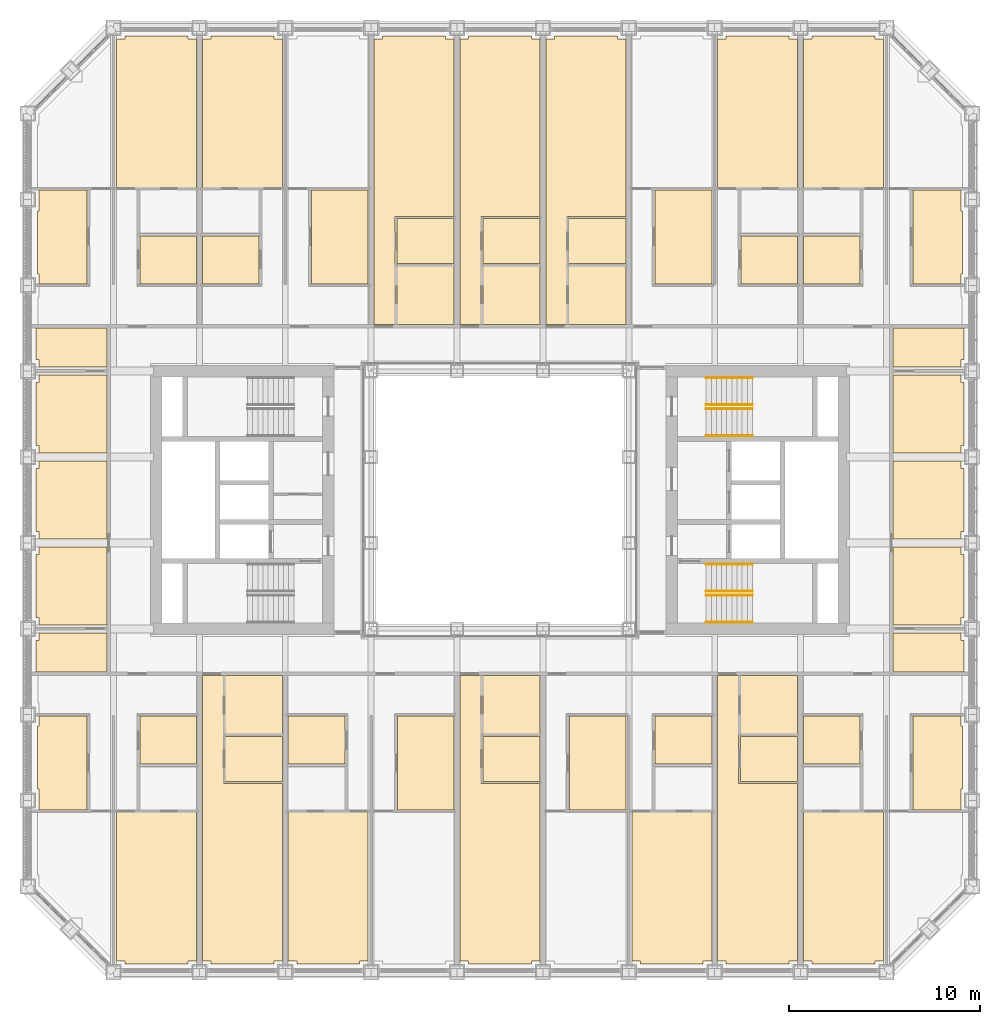
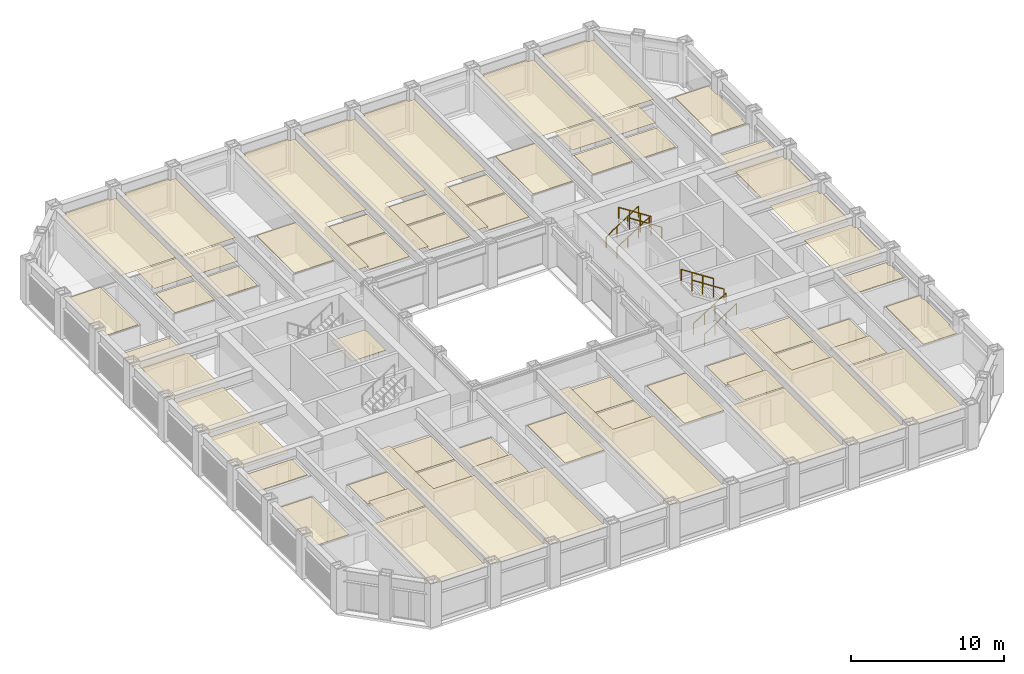
# One storey, part 20 of 21: 8 railings, 3 coverings.
"""IFC4 building model written with IfcOpenShell, lengths in metres."""

from ifc_helpers import new_model, si_unit, direction, frame, origin, origin_2d, place, context, subcontext, project, spatial, line, indexed_curve, circle, outline, extrude, material, layer, layer_set, type_object, element, save


model = new_model("IFC4")

# Units and contexts
model_context = context("Model", 3, precision=1e-05, world=origin(), true_north=direction((0.0, 1.0)))
body_context = subcontext(model_context, "Body", "Model", "MODEL_VIEW")
ifc_project = project(units=[si_unit("LENGTHUNIT", "METRE"), si_unit("AREAUNIT", "SQUARE_METRE"), si_unit("VOLUMEUNIT", "CUBIC_METRE"), si_unit("PLANEANGLEUNIT", "RADIAN"), si_unit("MASSUNIT", "GRAM", prefix="KILO")], contexts=[model_context])

# Site, building, storey
site_placement = place(None, origin())
site = spatial("IfcSite", under=ifc_project, at=site_placement, CompositionType="ELEMENT")
building_placement = place(site_placement, origin())
building = spatial("IfcBuilding", under=site, at=building_placement, Name="Msasa Ring Tower", CompositionType="ELEMENT")
storey_placement = place(building_placement, frame((0.0, 0.0, 40.5)))
storey = spatial("IfcBuildingStorey", under=building, at=storey_placement, Name="L09", CompositionType="ELEMENT", Elevation=40.5)

# Coverings
ifc_material_1 = material(Name="Gypsum plasterboard on a steel suspension grid", Category="steel")
ifc_layer_1 = layer(ifc_material_1, 0.014892578125)
ifc_layer_set_1 = layer_set([ifc_layer_1], Name="C1 SUSPENDED PLASTERBOARD CEILING 15")
covering_type_1 = type_object("IfcCoveringType", Name="C1 SUSPENDED PLASTERBOARD CEILING 15", PredefinedType="CEILING", material=ifc_layer_set_1)
covering_1_placement = place(storey_placement, frame((0.0, 0.0, 2.699951171875)))
element("IfcCovering", 1, at=covering_1_placement, inside=storey, type_object=covering_type_1, Name="Suspended Plasterboard Ceiling 15 L09", PredefinedType="CEILING", context=body_context, shape_type="SweptSolid", body=[
    extrude(outline(indexed_curve([(-24.299560546875, -2.8505859375), (-24.1494140625, -2.8505859375), (-24.1494140625, -2.460693359375), (-20.6005859375, -2.460693359375), (-20.6005859375, -6.539306640625), (-24.1494140625, -6.539306640625), (-24.1494140625, -6.1494140625), (-24.299560546875, -6.1494140625)], segments=[line(1, 2, 3, 4, 5, 6, 7, 8, 1)], self_intersect=False)), origin(), (0.0, 0.0, 1.0), 0.01513671875),
    extrude(outline(indexed_curve([(-24.299560546875, 1.6494140625), (-24.1494140625, 1.6494140625), (-24.1494140625, 2.039306640625), (-20.6005859375, 2.039306640625), (-20.6005859375, -2.039306640625), (-24.1494140625, -2.039306640625), (-24.1494140625, -1.6494140625), (-24.299560546875, -1.6494140625)], segments=[line(1, 2, 3, 4, 5, 6, 7, 8, 1)], self_intersect=False)), origin(), (0.0, 0.0, 1.0), 0.01513671875),
    extrude(outline(indexed_curve([(-24.299560546875, 6.1494140625), (-24.1494140625, 6.1494140625), (-24.1494140625, 6.539306640625), (-20.6005859375, 6.539306640625), (-20.6005859375, 2.460693359375), (-24.1494140625, 2.460693359375), (-24.1494140625, 2.8505859375), (-24.299560546875, 2.8505859375)], segments=[line(1, 2, 3, 4, 5, 6, 7, 8, 1)], self_intersect=False)), origin(), (0.0, 0.0, 1.0), 0.01513671875),
    extrude(outline(indexed_curve([(-15.904296875, -16.35546875), (-15.904296875, -24.1494140625), (-16.3505859375, -24.1494140625), (-16.3505859375, -24.299560546875), (-19.6494140625, -24.299560546875), (-19.6494140625, -24.1494140625), (-20.095703125, -24.1494140625), (-20.095703125, -16.35546875)], segments=[line(1, 2, 3, 4, 5, 6, 7, 8, 1)], self_intersect=False)), origin(), (0.0, 0.0, 1.0), 0.01513671875),
    extrude(outline(indexed_curve([(-20.095703125, 16.35546875), (-20.095703125, 24.1494140625), (-19.6494140625, 24.1494140625), (-19.6494140625, 24.299560546875), (-16.3505859375, 24.299560546875), (-16.3505859375, 24.1494140625), (-15.904296875, 24.1494140625), (-15.904296875, 16.35546875)], segments=[line(1, 2, 3, 4, 5, 6, 7, 8, 1)], self_intersect=False)), origin(), (0.0, 0.0, 1.0), 0.01513671875),
    extrude(outline(indexed_curve([(-18.869384765625, -13.98046875), (-15.904296875, -13.98046875), (-15.904296875, -16.244384765625), (-18.869384765625, -16.244384765625)], segments=[line(1, 2, 3, 4, 1)], self_intersect=False)), origin(), (0.0, 0.0, 1.0), 0.01513671875),
    extrude(outline(indexed_curve([(-15.904296875, 16.244384765625), (-15.904296875, 13.98046875), (-18.869384765625, 13.98046875), (-18.869384765625, 16.244384765625)], segments=[line(1, 2, 3, 4, 1)], self_intersect=False)), origin(), (0.0, 0.0, 1.0), 0.01513671875),
    extrude(outline(indexed_curve([(-14.50048828125, -9.200439453125), (-14.50048828125, -14.8505859375), (-11.404296875, -14.8505859375), (-11.404296875, -24.1494140625), (-11.8505859375, -24.1494140625), (-11.8505859375, -24.299560546875), (-15.1494140625, -24.299560546875), (-15.1494140625, -24.1494140625), (-15.595703125, -24.1494140625), (-15.595703125, -9.200439453125)], segments=[line(1, 2, 3, 4, 5, 6, 7, 8, 9, 10, 1)], self_intersect=False)), origin(), (0.0, 0.0, 1.0), 0.01513671875),
    extrude(outline(indexed_curve([(-12.630615234375, 16.244384765625), (-12.630615234375, 13.98046875), (-15.595703125, 13.98046875), (-15.595703125, 16.244384765625)], segments=[line(1, 2, 3, 4, 1)], self_intersect=False)), origin(), (0.0, 0.0, 1.0), 0.01513671875),
    extrude(outline(indexed_curve([(-15.595703125, 16.35546875), (-15.595703125, 24.1494140625), (-15.1494140625, 24.1494140625), (-15.1494140625, 24.299560546875), (-11.8505859375, 24.299560546875), (-11.8505859375, 24.1494140625), (-11.404296875, 24.1494140625), (-11.404296875, 16.35546875)], segments=[line(1, 2, 3, 4, 5, 6, 7, 8, 1)], self_intersect=False)), origin(), (0.0, 0.0, 1.0), 0.01513671875),
    extrude(outline(indexed_curve([(-11.87451171875, 3.074462890625), (-9.300537109375, 3.074462890625), (-9.300537109375, 0.35546875), (-11.87451171875, 0.35546875)], segments=[line(1, 2, 3, 4, 1)], self_intersect=False)), origin(), (0.0, 0.0, 1.0), 0.01513671875),
    extrude(outline(indexed_curve([(-10.6494140625, -24.299560546875), (-10.6494140625, -24.1494140625), (-11.095703125, -24.1494140625), (-11.095703125, -16.35546875), (-6.904296875, -16.35546875), (-6.904296875, -24.1494140625), (-7.3505859375, -24.1494140625), (-7.3505859375, -24.299560546875)], segments=[line(1, 2, 3, 4, 5, 6, 7, 8, 1)], self_intersect=False)), origin(), (0.0, 0.0, 1.0), 0.01513671875),
    extrude(outline(indexed_curve([(-8.130615234375, -13.98046875), (-8.130615234375, -16.244384765625), (-11.095703125, -16.244384765625), (-11.095703125, -13.98046875)], segments=[line(1, 2, 3, 4, 1)], self_intersect=False)), origin(), (0.0, 0.0, 1.0), 0.01513671875),
    extrude(outline(indexed_curve([(-6.595703125, 9.200439453125), (-6.595703125, 24.1494140625), (-6.1494140625, 24.1494140625), (-6.1494140625, 24.299560546875), (-2.8505859375, 24.299560546875), (-2.8505859375, 24.1494140625), (-2.404296875, 24.1494140625), (-2.404296875, 14.8505859375), (-5.50048828125, 14.8505859375), (-5.50048828125, 9.200439453125)], segments=[line(1, 2, 3, 4, 5, 6, 7, 8, 9, 10, 1)], self_intersect=False)), origin(), (0.0, 0.0, 1.0), 0.01513671875),
    extrude(outline(indexed_curve([(-1.6494140625, -24.299560546875), (-1.6494140625, -24.1494140625), (-2.095703125, -24.1494140625), (-2.095703125, -9.200439453125), (-1.00048828125, -9.200439453125), (-1.00048828125, -14.8505859375), (2.095703125, -14.8505859375), (2.095703125, -24.1494140625), (1.6494140625, -24.1494140625), (1.6494140625, -24.299560546875)], segments=[line(1, 2, 3, 4, 5, 6, 7, 8, 9, 10, 1)], self_intersect=False)), origin(), (0.0, 0.0, 1.0), 0.01513671875),
    extrude(outline(indexed_curve([(1.6494140625, 24.299560546875), (1.6494140625, 24.1494140625), (2.095703125, 24.1494140625), (2.095703125, 14.8505859375), (-1.00048828125, 14.8505859375), (-1.00048828125, 9.200439453125), (-2.095703125, 9.200439453125), (-2.095703125, 24.1494140625), (-1.6494140625, 24.1494140625), (-1.6494140625, 24.299560546875)], segments=[line(1, 2, 3, 4, 5, 6, 7, 8, 9, 10, 1)], self_intersect=False)), origin(), (0.0, 0.0, 1.0), 0.01513671875),
    extrude(outline(indexed_curve([(6.1494140625, 24.299560546875), (6.1494140625, 24.1494140625), (6.595703125, 24.1494140625), (6.595703125, 14.8505859375), (3.49951171875, 14.8505859375), (3.49951171875, 9.200439453125), (2.404296875, 9.200439453125), (2.404296875, 24.1494140625), (2.8505859375, 24.1494140625), (2.8505859375, 24.299560546875)], segments=[line(1, 2, 3, 4, 5, 6, 7, 8, 9, 10, 1)], self_intersect=False)), origin(), (0.0, 0.0, 1.0), 0.01513671875),
    extrude(outline(indexed_curve([(7.3505859375, -24.299560546875), (7.3505859375, -24.1494140625), (6.904296875, -24.1494140625), (6.904296875, -16.35546875), (11.095703125, -16.35546875), (11.095703125, -24.1494140625), (10.6494140625, -24.1494140625), (10.6494140625, -24.299560546875)], segments=[line(1, 2, 3, 4, 5, 6, 7, 8, 1)], self_intersect=False)), origin(), (0.0, 0.0, 1.0), 0.01513671875),
    extrude(outline(indexed_curve([(11.095703125, -13.98046875), (11.095703125, -16.244384765625), (8.130615234375, -16.244384765625), (8.130615234375, -13.98046875)], segments=[line(1, 2, 3, 4, 1)], self_intersect=False)), origin(), (0.0, 0.0, 1.0), 0.01513671875),
    extrude(outline(indexed_curve([(12.49951171875, -9.200439453125), (12.49951171875, -14.8505859375), (15.595703125, -14.8505859375), (15.595703125, -24.1494140625), (15.1494140625, -24.1494140625), (15.1494140625, -24.299560546875), (11.8505859375, -24.299560546875), (11.8505859375, -24.1494140625), (11.404296875, -24.1494140625), (11.404296875, -9.200439453125)], segments=[line(1, 2, 3, 4, 5, 6, 7, 8, 9, 10, 1)], self_intersect=False)), origin(), (0.0, 0.0, 1.0), 0.01513671875),
    extrude(outline(indexed_curve([(15.1494140625, 24.299560546875), (15.1494140625, 24.1494140625), (15.595703125, 24.1494140625), (15.595703125, 16.35546875), (11.404296875, 16.35546875), (11.404296875, 24.1494140625), (11.8505859375, 24.1494140625), (11.8505859375, 24.299560546875)], segments=[line(1, 2, 3, 4, 5, 6, 7, 8, 1)], self_intersect=False)), origin(), (0.0, 0.0, 1.0), 0.01513671875),
    extrude(outline(indexed_curve([(15.595703125, 16.244384765625), (15.595703125, 13.98046875), (12.630615234375, 13.98046875), (12.630615234375, 16.244384765625)], segments=[line(1, 2, 3, 4, 1)], self_intersect=False)), origin(), (0.0, 0.0, 1.0), 0.01513671875),
    extrude(outline(indexed_curve([(20.095703125, -16.35546875), (20.095703125, -24.1494140625), (19.6494140625, -24.1494140625), (19.6494140625, -24.299560546875), (16.3505859375, -24.299560546875), (16.3505859375, -24.1494140625), (15.904296875, -24.1494140625), (15.904296875, -16.35546875)], segments=[line(1, 2, 3, 4, 5, 6, 7, 8, 1)], self_intersect=False)), origin(), (0.0, 0.0, 1.0), 0.01513671875),
    extrude(outline(indexed_curve([(18.869384765625, -13.98046875), (18.869384765625, -16.244384765625), (15.904296875, -16.244384765625), (15.904296875, -13.98046875)], segments=[line(1, 2, 3, 4, 1)], self_intersect=False)), origin(), (0.0, 0.0, 1.0), 0.01513671875),
    extrude(outline(indexed_curve([(18.869384765625, 16.244384765625), (18.869384765625, 13.98046875), (15.904296875, 13.98046875), (15.904296875, 16.244384765625)], segments=[line(1, 2, 3, 4, 1)], self_intersect=False)), origin(), (0.0, 0.0, 1.0), 0.01513671875),
    extrude(outline(indexed_curve([(15.904296875, 16.35546875), (15.904296875, 24.1494140625), (16.3505859375, 24.1494140625), (16.3505859375, 24.299560546875), (19.6494140625, 24.299560546875), (19.6494140625, 24.1494140625), (20.095703125, 24.1494140625), (20.095703125, 16.35546875)], segments=[line(1, 2, 3, 4, 5, 6, 7, 8, 1)], self_intersect=False)), origin(), (0.0, 0.0, 1.0), 0.01513671875),
    extrude(outline(indexed_curve([(20.6005859375, -2.460693359375), (24.1494140625, -2.460693359375), (24.1494140625, -2.8505859375), (24.299560546875, -2.8505859375), (24.299560546875, -6.1494140625), (24.1494140625, -6.1494140625), (24.1494140625, -6.539306640625), (20.6005859375, -6.539306640625)], segments=[line(1, 2, 3, 4, 5, 6, 7, 8, 1)], self_intersect=False)), origin(), (0.0, 0.0, 1.0), 0.01513671875),
    extrude(outline(indexed_curve([(20.6005859375, 2.039306640625), (24.1494140625, 2.039306640625), (24.1494140625, 1.6494140625), (24.299560546875, 1.6494140625), (24.299560546875, -1.6494140625), (24.1494140625, -1.6494140625), (24.1494140625, -2.039306640625), (20.6005859375, -2.039306640625)], segments=[line(1, 2, 3, 4, 5, 6, 7, 8, 1)], self_intersect=False)), origin(), (0.0, 0.0, 1.0), 0.01513671875),
    extrude(outline(indexed_curve([(20.6005859375, 6.539306640625), (24.1494140625, 6.539306640625), (24.1494140625, 6.1494140625), (24.299560546875, 6.1494140625), (24.299560546875, 2.8505859375), (24.1494140625, 2.8505859375), (24.1494140625, 2.460693359375), (20.6005859375, 2.460693359375)], segments=[line(1, 2, 3, 4, 5, 6, 7, 8, 1)], self_intersect=False)), origin(), (0.0, 0.0, 1.0), 0.01513671875),
])
ifc_material_2 = material(Name="Moisture-resistant gypsum plasterboard on a steel suspension grid", Category="steel")
ifc_layer_2 = layer(ifc_material_2, 0.014892578125)
ifc_layer_set_2 = layer_set([ifc_layer_2], Name="C2 MOISTURE-RESISTANT PLASTERBOARD CEILING 15")
covering_type_2 = type_object("IfcCoveringType", Name="C2 MOISTURE-RESISTANT PLASTERBOARD CEILING 15", PredefinedType="CEILING", material=ifc_layer_set_2)
covering_2_placement = place(storey_placement, frame((0.0, 0.0, 2.39990234375)))
element("IfcCovering", 2, at=covering_2_placement, inside=storey, type_object=covering_type_2, Name="Moisture-Resistant Plasterboard Ceiling 15 L09", PredefinedType="CEILING", context=body_context, shape_type="SweptSolid", body=[
    extrude(outline(indexed_curve([(-20.6005859375, 6.960693359375), (-24.1494140625, 6.960693359375), (-24.1494140625, 7.3505859375), (-24.299560546875, 7.3505859375), (-24.299560546875, 8.99951171875), (-20.6005859375, 8.99951171875)], segments=[line(1, 2, 3, 4, 5, 6, 1)], self_intersect=False)), origin(), (0.0, 0.0, 1.0), 0.01513671875),
    extrude(outline(indexed_curve([(-18.869384765625, -11.305419921875), (-15.904296875, -11.305419921875), (-15.904296875, -13.819580078125), (-18.869384765625, -13.819580078125)], segments=[line(1, 2, 3, 4, 1)], self_intersect=False)), origin(), (0.0, 0.0, 1.0), 0.01513671875),
    extrude(outline(indexed_curve([(-18.869384765625, 13.819580078125), (-15.904296875, 13.819580078125), (-15.904296875, 11.305419921875), (-18.869384765625, 11.305419921875)], segments=[line(1, 2, 3, 4, 1)], self_intersect=False)), origin(), (0.0, 0.0, 1.0), 0.01513671875),
    extrude(outline(indexed_curve([(-12.630615234375, 13.819580078125), (-12.630615234375, 11.305419921875), (-15.595703125, 11.305419921875), (-15.595703125, 13.819580078125)], segments=[line(1, 2, 3, 4, 1)], self_intersect=False)), origin(), (0.0, 0.0, 1.0), 0.01513671875),
    extrude(outline(indexed_curve([(-14.3994140625, -9.200439453125), (-11.404296875, -9.200439453125), (-11.404296875, -12.24951171875), (-14.3994140625, -12.24951171875)], segments=[line(1, 2, 3, 4, 1)], self_intersect=False)), origin(), (0.0, 0.0, 1.0), 0.01513671875),
    extrude(outline(indexed_curve([(-8.130615234375, -11.305419921875), (-8.130615234375, -13.819580078125), (-11.095703125, -13.819580078125), (-11.095703125, -11.305419921875)], segments=[line(1, 2, 3, 4, 1)], self_intersect=False)), origin(), (0.0, 0.0, 1.0), 0.01513671875),
    extrude(outline(indexed_curve([(-5.3994140625, 12.24951171875), (-2.404296875, 12.24951171875), (-2.404296875, 9.200439453125), (-5.3994140625, 9.200439453125)], segments=[line(1, 2, 3, 4, 1)], self_intersect=False)), origin(), (0.0, 0.0, 1.0), 0.01513671875),
    extrude(outline(indexed_curve([(-0.8994140625, -9.200439453125), (2.095703125, -9.200439453125), (2.095703125, -12.24951171875), (-0.8994140625, -12.24951171875)], segments=[line(1, 2, 3, 4, 1)], self_intersect=False)), origin(), (0.0, 0.0, 1.0), 0.01513671875),
    extrude(outline(indexed_curve([(-0.8994140625, 12.24951171875), (2.095703125, 12.24951171875), (2.095703125, 9.200439453125), (-0.8994140625, 9.200439453125)], segments=[line(1, 2, 3, 4, 1)], self_intersect=False)), origin(), (0.0, 0.0, 1.0), 0.01513671875),
    extrude(outline(indexed_curve([(3.6005859375, 12.24951171875), (6.595703125, 12.24951171875), (6.595703125, 9.200439453125), (3.6005859375, 9.200439453125)], segments=[line(1, 2, 3, 4, 1)], self_intersect=False)), origin(), (0.0, 0.0, 1.0), 0.01513671875),
    extrude(outline(indexed_curve([(8.130615234375, -11.305419921875), (11.095703125, -11.305419921875), (11.095703125, -13.819580078125), (8.130615234375, -13.819580078125)], segments=[line(1, 2, 3, 4, 1)], self_intersect=False)), origin(), (0.0, 0.0, 1.0), 0.01513671875),
    extrude(outline(indexed_curve([(12.6005859375, -9.200439453125), (15.595703125, -9.200439453125), (15.595703125, -12.24951171875), (12.6005859375, -12.24951171875)], segments=[line(1, 2, 3, 4, 1)], self_intersect=False)), origin(), (0.0, 0.0, 1.0), 0.01513671875),
    extrude(outline(indexed_curve([(12.630615234375, 13.819580078125), (15.595703125, 13.819580078125), (15.595703125, 11.305419921875), (12.630615234375, 11.305419921875)], segments=[line(1, 2, 3, 4, 1)], self_intersect=False)), origin(), (0.0, 0.0, 1.0), 0.01513671875),
    extrude(outline(indexed_curve([(18.869384765625, -11.305419921875), (18.869384765625, -13.819580078125), (15.904296875, -13.819580078125), (15.904296875, -11.305419921875)], segments=[line(1, 2, 3, 4, 1)], self_intersect=False)), origin(), (0.0, 0.0, 1.0), 0.01513671875),
    extrude(outline(indexed_curve([(18.869384765625, 13.819580078125), (18.869384765625, 11.305419921875), (15.904296875, 11.305419921875), (15.904296875, 13.819580078125)], segments=[line(1, 2, 3, 4, 1)], self_intersect=False)), origin(), (0.0, 0.0, 1.0), 0.01513671875),
    extrude(outline(indexed_curve([(20.6005859375, 8.99951171875), (24.299560546875, 8.99951171875), (24.299560546875, 7.3505859375), (24.1494140625, 7.3505859375), (24.1494140625, 6.960693359375), (20.6005859375, 6.960693359375)], segments=[line(1, 2, 3, 4, 5, 6, 1)], self_intersect=False)), origin(), (0.0, 0.0, 1.0), 0.01513671875),
])
ifc_material_3 = material(Name="Perforated aluminium ceiling pans on a steel grid", Category="steel")
ifc_layer_3 = layer(ifc_material_3, 0.02490234375)
ifc_layer_set_3 = layer_set([ifc_layer_3], Name="C4 PERFORATED METAL PAN CEILING 25")
covering_type_3 = type_object("IfcCoveringType", Name="C4 PERFORATED METAL PAN CEILING 25", PredefinedType="CEILING", material=ifc_layer_set_3)
covering_3_placement = place(storey_placement, frame((0.0, 0.0, 2.39990234375)))
element("IfcCovering", 3, at=covering_3_placement, inside=storey, type_object=covering_type_3, Name="Perforated Metal Pan Ceiling 25 L09", PredefinedType="CEILING", context=body_context, shape_type="SweptSolid", body=[
    extrude(outline(indexed_curve([(-20.6005859375, -8.99951171875), (-24.299560546875, -8.99951171875), (-24.299560546875, -7.3505859375), (-24.1494140625, -7.3505859375), (-24.1494140625, -6.960693359375), (-20.6005859375, -6.960693359375)], segments=[line(1, 2, 3, 4, 5, 6, 1)], self_intersect=False)), origin(), (0.0, 0.0, 1.0), 0.025146484375),
    extrude(outline(indexed_curve([(-24.239501953125, -11.8505859375), (-24.1494140625, -11.8505859375), (-24.1494140625, -11.305419921875), (-21.630615234375, -11.305419921875), (-21.630615234375, -16.244384765625), (-24.1494140625, -16.244384765625), (-24.1494140625, -15.1494140625), (-24.239501953125, -15.1494140625)], segments=[line(1, 2, 3, 4, 5, 6, 7, 8, 1)], self_intersect=False)), origin(), (0.0, 0.0, 1.0), 0.025146484375),
    extrude(outline(indexed_curve([(-24.239501953125, 15.1494140625), (-24.1494140625, 15.1494140625), (-24.1494140625, 16.244384765625), (-21.630615234375, 16.244384765625), (-21.630615234375, 11.305419921875), (-24.1494140625, 11.305419921875), (-24.1494140625, 11.8505859375), (-24.239501953125, 11.8505859375)], segments=[line(1, 2, 3, 4, 5, 6, 7, 8, 1)], self_intersect=False)), origin(), (0.0, 0.0, 1.0), 0.025146484375),
    extrude(outline(indexed_curve([(-14.3994140625, -12.380615234375), (-11.404296875, -12.380615234375), (-11.404296875, -14.744384765625), (-14.3994140625, -14.744384765625)], segments=[line(1, 2, 3, 4, 1)], self_intersect=False)), origin(), (0.0, 0.0, 1.0), 0.025146484375),
    extrude(outline(indexed_curve([(-9.869384765625, 16.244384765625), (-6.904296875, 16.244384765625), (-6.904296875, 11.305419921875), (-9.869384765625, 11.305419921875)], segments=[line(1, 2, 3, 4, 1)], self_intersect=False)), origin(), (0.0, 0.0, 1.0), 0.025146484375),
    extrude(outline(indexed_curve([(-5.3994140625, 14.744384765625), (-2.404296875, 14.744384765625), (-2.404296875, 12.380615234375), (-5.3994140625, 12.380615234375)], segments=[line(1, 2, 3, 4, 1)], self_intersect=False)), origin(), (0.0, 0.0, 1.0), 0.025146484375),
    extrude(outline(indexed_curve([(-5.369384765625, -11.305419921875), (-2.404296875, -11.305419921875), (-2.404296875, -16.244384765625), (-5.369384765625, -16.244384765625)], segments=[line(1, 2, 3, 4, 1)], self_intersect=False)), origin(), (0.0, 0.0, 1.0), 0.025146484375),
    extrude(outline(indexed_curve([(-0.8994140625, -12.380615234375), (2.095703125, -12.380615234375), (2.095703125, -14.744384765625), (-0.8994140625, -14.744384765625)], segments=[line(1, 2, 3, 4, 1)], self_intersect=False)), origin(), (0.0, 0.0, 1.0), 0.025146484375),
    extrude(outline(indexed_curve([(-0.8994140625, 14.744384765625), (2.095703125, 14.744384765625), (2.095703125, 12.380615234375), (-0.8994140625, 12.380615234375)], segments=[line(1, 2, 3, 4, 1)], self_intersect=False)), origin(), (0.0, 0.0, 1.0), 0.025146484375),
    extrude(outline(indexed_curve([(3.6005859375, 14.744384765625), (6.595703125, 14.744384765625), (6.595703125, 12.380615234375), (3.6005859375, 12.380615234375)], segments=[line(1, 2, 3, 4, 1)], self_intersect=False)), origin(), (0.0, 0.0, 1.0), 0.025146484375),
    extrude(outline(indexed_curve([(3.630615234375, -11.305419921875), (6.595703125, -11.305419921875), (6.595703125, -16.244384765625), (3.630615234375, -16.244384765625)], segments=[line(1, 2, 3, 4, 1)], self_intersect=False)), origin(), (0.0, 0.0, 1.0), 0.025146484375),
    extrude(outline(indexed_curve([(8.130615234375, 16.244384765625), (11.095703125, 16.244384765625), (11.095703125, 11.305419921875), (8.130615234375, 11.305419921875)], segments=[line(1, 2, 3, 4, 1)], self_intersect=False)), origin(), (0.0, 0.0, 1.0), 0.025146484375),
    extrude(outline(indexed_curve([(12.6005859375, -12.380615234375), (15.595703125, -12.380615234375), (15.595703125, -14.744384765625), (12.6005859375, -14.744384765625)], segments=[line(1, 2, 3, 4, 1)], self_intersect=False)), origin(), (0.0, 0.0, 1.0), 0.025146484375),
    extrude(outline(indexed_curve([(20.6005859375, -8.99951171875), (20.6005859375, -6.960693359375), (24.1494140625, -6.960693359375), (24.1494140625, -7.3505859375), (24.299560546875, -7.3505859375), (24.299560546875, -8.99951171875)], segments=[line(1, 2, 3, 4, 5, 6, 1)], self_intersect=False)), origin(), (0.0, 0.0, 1.0), 0.025146484375),
    extrude(outline(indexed_curve([(21.630615234375, -11.305419921875), (24.1494140625, -11.305419921875), (24.1494140625, -11.8505859375), (24.239501953125, -11.8505859375), (24.239501953125, -15.1494140625), (24.1494140625, -15.1494140625), (24.1494140625, -16.244384765625), (21.630615234375, -16.244384765625)], segments=[line(1, 2, 3, 4, 5, 6, 7, 8, 1)], self_intersect=False)), origin(), (0.0, 0.0, 1.0), 0.025146484375),
    extrude(outline(indexed_curve([(21.630615234375, 16.244384765625), (24.1494140625, 16.244384765625), (24.1494140625, 15.1494140625), (24.239501953125, 15.1494140625), (24.239501953125, 11.8505859375), (24.1494140625, 11.8505859375), (24.1494140625, 11.305419921875), (21.630615234375, 11.305419921875)], segments=[line(1, 2, 3, 4, 5, 6, 7, 8, 1)], self_intersect=False)), origin(), (0.0, 0.0, 1.0), 0.025146484375),
])

# Railings
ifc_material_4 = material(Name="Stainless steel", Category="steel")
railing_type = type_object("IfcRailingType", Name="HR1 HANDRAIL 900", PredefinedType="HANDRAIL", material=ifc_material_4)
for number, where, name in (
    (4, (10.800048828125, -6.39990234375, 0.175048828125), "Handrail stair SEA L09 1"),
    (5, (10.800048828125, -5.0, 0.175048828125), "Handrail stair SEA L09 2"),
):
    element("IfcRailing", number, at=place(storey_placement, frame(where)), inside=storey, type_object=railing_type, Name=name, PredefinedType="HANDRAIL", context=body_context, shape_type="SweptSolid", body=[
        extrude(circle(Radius=0.02392578125, at=origin_2d()), frame((0.0, 0.0, 0.8759765625), z_axis=(0.839153699163, 0.0, 0.543894354798), x_axis=(0.0, 1.0, 0.0)), (0.0, 0.0, 1.0), 2.895751953125),
        extrude(circle(Radius=0.02099609375, at=origin_2d()), origin(), (0.0, 0.0, 1.0), 0.851806640625),
        extrude(circle(Radius=0.02099609375, at=origin_2d()), frame((0.81005859375, 0.0, 0.52490234375)), (0.0, 0.0, 1.0), 0.851806640625),
        extrude(circle(Radius=0.02099609375, at=origin_2d()), frame((1.619873046875, 0.0, 1.050048828125)), (0.0, 0.0, 1.0), 0.851806640625),
        extrude(circle(Radius=0.02099609375, at=origin_2d()), frame((2.429931640625, 0.0, 1.574951171875)), (0.0, 0.0, 1.0), 0.851806640625),
    ])
for number, where, name in (
    (6, (13.22998046875, -4.77490234375, 1.925048828125), "Handrail stair SEA L09 3"),
    (7, (13.22998046875, -3.375, 1.925048828125), "Handrail stair SEA L09 4"),
):
    element("IfcRailing", number, at=place(storey_placement, frame(where)), inside=storey, type_object=railing_type, Name=name, PredefinedType="HANDRAIL", context=body_context, shape_type="SweptSolid", body=[
        extrude(circle(Radius=0.02392578125, at=origin_2d()), frame((0.0, 0.0, 0.8759765625), z_axis=(-0.839153699163, 0.0, 0.543894354798), x_axis=(0.0, -1.0, 0.0)), (0.0, 0.0, 1.0), 2.895751953125),
        extrude(circle(Radius=0.02099609375, at=origin_2d()), origin(), (0.0, 0.0, 1.0), 0.851806640625),
        extrude(circle(Radius=0.02099609375, at=origin_2d()), frame((-0.81005859375, 0.0, 0.52490234375)), (0.0, 0.0, 1.0), 0.851806640625),
        extrude(circle(Radius=0.02099609375, at=origin_2d()), frame((-1.619873046875, 0.0, 1.050048828125)), (0.0, 0.0, 1.0), 0.851806640625),
        extrude(circle(Radius=0.02099609375, at=origin_2d()), frame((-2.429931640625, 0.0, 1.574951171875)), (0.0, 0.0, 1.0), 0.851806640625),
    ])
for number, where, name in (
    (8, (10.800048828125, 5.0, 0.175048828125), "Handrail stair SEB L09 1"),
    (9, (10.800048828125, 6.39990234375, 0.175048828125), "Handrail stair SEB L09 2"),
):
    element("IfcRailing", number, at=place(storey_placement, frame(where)), inside=storey, type_object=railing_type, Name=name, PredefinedType="HANDRAIL", context=body_context, shape_type="SweptSolid", body=[
        extrude(circle(Radius=0.02392578125, at=origin_2d()), frame((0.0, 0.0, 0.8759765625), z_axis=(0.839153699163, 0.0, 0.543894354798), x_axis=(0.0, 1.0, 0.0)), (0.0, 0.0, 1.0), 2.895751953125),
        extrude(circle(Radius=0.02099609375, at=origin_2d()), origin(), (0.0, 0.0, 1.0), 0.851806640625),
        extrude(circle(Radius=0.02099609375, at=origin_2d()), frame((0.81005859375, 0.0, 0.52490234375)), (0.0, 0.0, 1.0), 0.851806640625),
        extrude(circle(Radius=0.02099609375, at=origin_2d()), frame((1.619873046875, 0.0, 1.050048828125)), (0.0, 0.0, 1.0), 0.851806640625),
        extrude(circle(Radius=0.02099609375, at=origin_2d()), frame((2.429931640625, 0.0, 1.574951171875)), (0.0, 0.0, 1.0), 0.851806640625),
    ])
for number, where, name in (
    (10, (13.22998046875, 3.375, 1.925048828125), "Handrail stair SEB L09 3"),
    (11, (13.22998046875, 4.77490234375, 1.925048828125), "Handrail stair SEB L09 4"),
):
    element("IfcRailing", number, at=place(storey_placement, frame(where)), inside=storey, type_object=railing_type, Name=name, PredefinedType="HANDRAIL", context=body_context, shape_type="SweptSolid", body=[
        extrude(circle(Radius=0.02392578125, at=origin_2d()), frame((0.0, 0.0, 0.8759765625), z_axis=(-0.839153699163, 0.0, 0.543894354798), x_axis=(0.0, -1.0, 0.0)), (0.0, 0.0, 1.0), 2.895751953125),
        extrude(circle(Radius=0.02099609375, at=origin_2d()), origin(), (0.0, 0.0, 1.0), 0.851806640625),
        extrude(circle(Radius=0.02099609375, at=origin_2d()), frame((-0.81005859375, 0.0, 0.52490234375)), (0.0, 0.0, 1.0), 0.851806640625),
        extrude(circle(Radius=0.02099609375, at=origin_2d()), frame((-1.619873046875, 0.0, 1.050048828125)), (0.0, 0.0, 1.0), 0.851806640625),
        extrude(circle(Radius=0.02099609375, at=origin_2d()), frame((-2.429931640625, 0.0, 1.574951171875)), (0.0, 0.0, 1.0), 0.851806640625),
    ])

save(model, "model.ifc")
